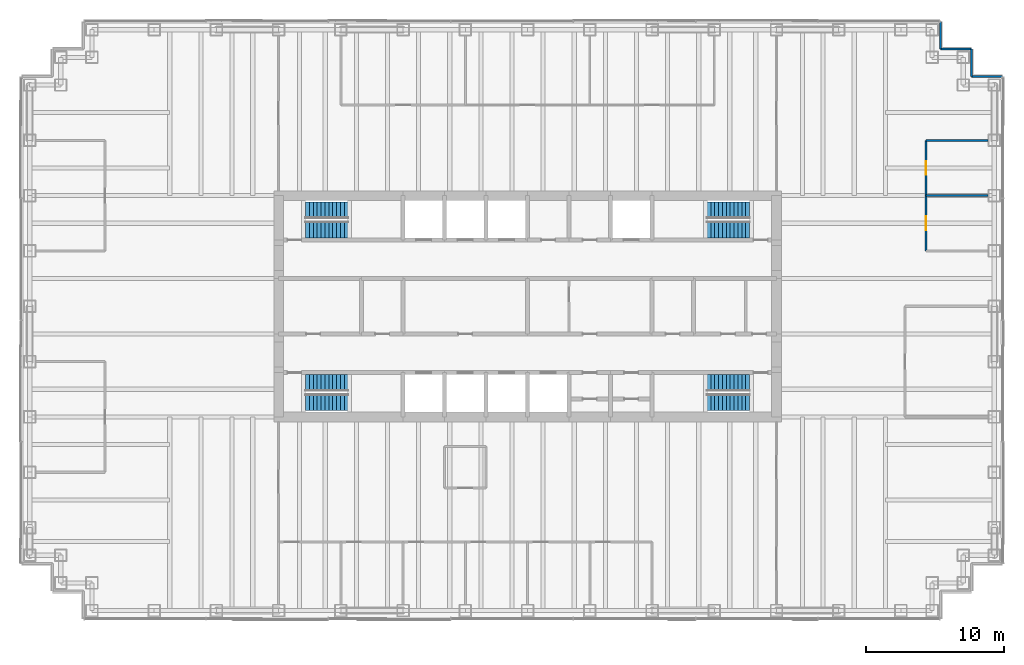
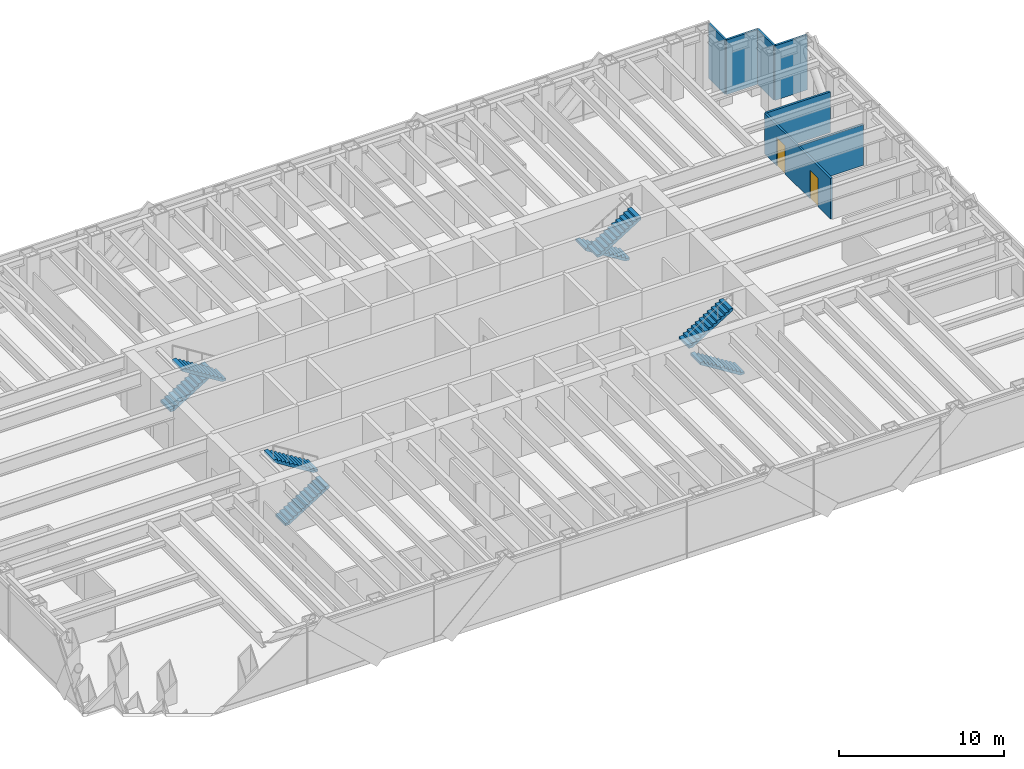
# One storey, part 14 of 15: 8 stair flights, 7 walls, 2 doors, 2 openings, 4 elements without a shape of their own.
"""IFC4 building model written with IfcOpenShell, lengths in metres."""

from ifc_helpers import new_model, si_unit, direction, frame, frame_2d, origin, place, context, subcontext, project, spatial, polyline, rectangle, outline, extrude, material, layer, layer_set, type_object, element, fill, aggregate, save


model = new_model("IFC4")

# Units and contexts
model_context = context("Model", 3, precision=1e-05, world=origin(), true_north=direction((0.0, 1.0)))
body_context = subcontext(model_context, "Body", "Model", "MODEL_VIEW")
ifc_project = project(units=[si_unit("LENGTHUNIT", "METRE"), si_unit("AREAUNIT", "SQUARE_METRE"), si_unit("VOLUMEUNIT", "CUBIC_METRE"), si_unit("PLANEANGLEUNIT", "RADIAN"), si_unit("MASSUNIT", "GRAM", prefix="KILO")], contexts=[model_context])

# Site, building, storey
site_placement = place(None, origin())
site = spatial("IfcSite", under=ifc_project, at=site_placement, CompositionType="ELEMENT")
building_placement = place(site_placement, origin())
building = spatial("IfcBuilding", under=site, at=building_placement, Name="Rheinbord Bourse Tower", CompositionType="ELEMENT")
storey_placement = place(building_placement, frame((0.0, 0.0, 292.10009765625)))
storey = spatial("IfcBuildingStorey", under=building, at=storey_placement, Name="L66", CompositionType="ELEMENT", Elevation=292.10009765625)

# Walls
ifc_material_1 = material(Name="Black metal rainscreen panel", Category="aluminium")
ifc_layer_1 = layer(ifc_material_1, 0.14990234375)
ifc_layer_set_1 = layer_set([ifc_layer_1], Name="CORNER PIER CLADDING 150")
wall_type_1 = type_object("IfcWallType", Name="CORNER PIER CLADDING 150", PredefinedType="ELEMENTEDWALL", material=ifc_layer_set_1)
wall_1_placement = place(storey_placement, frame((70.35009765625, 40.60009765625, 0.0), z_axis=(0.0, 0.0, 1.0), x_axis=(-1.0, 0.0, 0.0)))
element("IfcWall", 1, at=wall_1_placement, inside=storey, type_object=wall_type_1, Name="Corner pier cladding L66 7", PredefinedType="ELEMENTEDWALL", context=body_context, shape_type="SweptSolid", body=[
    extrude(rectangle(XDim=2.25, YDim=0.14990234375, at=frame_2d((1.125, 0.0))), origin(), (0.0, 0.0, 1.0), 4.039794921875),
])
wall_2_placement = place(storey_placement, frame((68.10009765625, 40.60009765625, 0.0), z_axis=(0.0, 0.0, 1.0), x_axis=(0.0, 1.0, 0.0)))
element("IfcWall", 2, at=wall_2_placement, inside=storey, type_object=wall_type_1, Name="Corner pier cladding L66 8", PredefinedType="ELEMENTEDWALL", context=body_context, shape_type="SweptSolid", body=[
    extrude(rectangle(XDim=2.0, YDim=0.14990234375, at=frame_2d((1.0, 0.0))), origin(), (0.0, 0.0, 1.0), 4.039794921875),
])
wall_3_placement = place(storey_placement, frame((68.10009765625, 42.60009765625, 0.0), z_axis=(0.0, 0.0, 1.0), x_axis=(-1.0, 0.0, 0.0)))
element("IfcWall", 3, at=wall_3_placement, inside=storey, type_object=wall_type_1, Name="Corner pier cladding L66 9", PredefinedType="ELEMENTEDWALL", context=body_context, shape_type="SweptSolid", body=[
    extrude(rectangle(XDim=2.25, YDim=0.14990234375, at=frame_2d((1.125, 0.0))), origin(), (0.0, 0.0, 1.0), 4.039794921875),
])
wall_4_placement = place(storey_placement, frame((65.85009765625, 42.60009765625, 0.0), z_axis=(0.0, 0.0, 1.0), x_axis=(0.0, 1.0, 0.0)))
element("IfcWall", 4, at=wall_4_placement, inside=storey, type_object=wall_type_1, Name="Corner pier cladding L66 10", PredefinedType="ELEMENTEDWALL", context=body_context, shape_type="SweptSolid", body=[
    extrude(rectangle(XDim=2.0, YDim=0.14990234375, at=frame_2d((1.0, 0.0))), origin(), (0.0, 0.0, 1.0), 4.039794921875),
])
ifc_material_2 = material(Name="Gypsum board partition", Category="gypsum board")
ifc_layer_2 = layer(ifc_material_2, 0.14990234375)
ifc_layer_set_2 = layer_set([ifc_layer_2], Name="PARTITION 150")
wall_type_2 = type_object("IfcWallType", Name="PARTITION 150", PredefinedType="PARTITIONING", material=ifc_layer_set_2)
for number, where, z_axis, x_axis, name in (
    (5, (64.800048828125, 32.0, 0.0), (0.0, 0.0, 1.0), (1.0, 0.0, 0.0), "Partition L66-10"),
    (6, (64.800048828125, 36.0, 0.0), (0.0, 0.0, 1.0), (1.0, 0.0, 0.0), "Partition L66-12"),
):
    element("IfcWall", number, at=place(storey_placement, frame(where, z_axis=z_axis, x_axis=x_axis)), inside=storey, type_object=wall_type_2, Name=name, PredefinedType="PARTITIONING", context=body_context, shape_type="SweptSolid", body=[
        extrude(rectangle(XDim=4.5, YDim=0.14990234375, at=frame_2d((2.25, 0.0))), origin(), (0.0, 0.0, 1.0), 3.0),
    ])

# Wall, openings, doors
wall_5_placement = place(storey_placement, frame((64.800048828125, 28.0, 0.0), z_axis=(0.0, 0.0, 1.0), x_axis=(0.0, 1.0, 0.0)))
wall_5 = element("IfcWall", 7, at=wall_5_placement, inside=storey, type_object=wall_type_2, Name="Partition L66-35", PredefinedType="PARTITIONING", context=body_context, shape_type="SweptSolid", body=[
    extrude(rectangle(XDim=8.0, YDim=0.14990234375, at=frame_2d((4.0, 0.0))), origin(), (0.0, 0.0, 1.0), 3.0),
])
opening_1_placement = place(wall_5_placement, frame((1.5, 0.0, 0.0)))
opening_1 = element("IfcOpeningElement", 8, at=opening_1_placement, cuts=wall_5, Name="Opening 66D10", PredefinedType="OPENING", context=body_context, shape_type="SweptSolid", body=[
    extrude(rectangle(XDim=1.0, YDim=2.10009765625, at=frame_2d((0.5, 1.050048828125))), frame((0.0, 0.0849609375, 0.0), z_axis=(0.0, -1.0, 0.0), x_axis=(1.0, 0.0, 0.0)), (0.0, 0.0, 1.0), 0.169921875),
])
opening_2_placement = place(wall_5_placement, frame((5.5, 0.0, 0.0)))
opening_2 = element("IfcOpeningElement", 9, at=opening_2_placement, cuts=wall_5, Name="Opening 66D12", PredefinedType="OPENING", context=body_context, shape_type="SweptSolid", body=[
    extrude(rectangle(XDim=1.0, YDim=2.10009765625, at=frame_2d((0.5, 1.050048828125))), frame((0.0, 0.0849609375, 0.0), z_axis=(0.0, -1.0, 0.0), x_axis=(1.0, 0.0, 0.0)), (0.0, 0.0, 1.0), 0.169921875),
])
ifc_material_3 = material(Name="Timber door", Category="wood")
door_type = type_object("IfcDoorType", Name="ROOM DOOR 1000", OperationType="SINGLE_SWING_LEFT", PredefinedType="DOOR", material=ifc_material_3)
door_1_placement = place(opening_1_placement, origin())
door_1 = element("IfcDoor", 10, at=door_1_placement, inside=storey, type_object=door_type, Name="Office door L66", OperationType="SINGLE_SWING_LEFT", OverallHeight=2.10009765625, OverallWidth=1.0, PredefinedType="DOOR", context=body_context, shape_type="SweptSolid", body=[
    extrude(rectangle(XDim=1.0, YDim=2.10009765625, at=frame_2d((0.5, 1.050048828125))), frame((0.0, 0.02490234375, 0.0), z_axis=(0.0, -1.0, 0.0), x_axis=(1.0, 0.0, 0.0)), (0.0, 0.0, 1.0), 0.050048828125),
])
fill(opening_1, door_1)
door_2_placement = place(opening_2_placement, origin())
door_2 = element("IfcDoor", 11, at=door_2_placement, inside=storey, type_object=door_type, Name="Office door L66", OperationType="SINGLE_SWING_RIGHT", OverallHeight=2.10009765625, OverallWidth=1.0, PredefinedType="DOOR", context=body_context, shape_type="SweptSolid", body=[
    extrude(rectangle(XDim=1.0, YDim=2.10009765625, at=frame_2d((0.5, 1.050048828125))), frame((0.0, 0.02490234375, 0.0), z_axis=(0.0, -1.0, 0.0), x_axis=(1.0, 0.0, 0.0)), (0.0, 0.0, 1.0), 0.050048828125),
])
fill(opening_2, door_2)

# Stair, stair flights
ifc_material_4 = material(Name="Concrete C30/37", Category="concrete")
stair_type = type_object("IfcStairType", Name="CORE STAIR HALF TURN 4200", PredefinedType="HALF_TURN_STAIR", material=ifc_material_4)
stair_1_placement = place(storey_placement, origin())
stair_1 = element("IfcStair", 12, at=stair_1_placement, inside=storey, type_object=stair_type, Name="Stair ST1 L66, type CS6", PredefinedType="HALF_TURN_STAIR")
ifc_material_5 = material(Name="Concrete C30/37", Category="concrete")
stair_flight_type = type_object("IfcStairFlightType", Name="CORE STAIR FLIGHT 1200, 12 RISERS", PredefinedType="STRAIGHT", material=ifc_material_5)
stair_flight_1_placement = place(storey_placement, frame((19.949951171875, 17.050048828125, 0.0), z_axis=(0.0, 0.0, 1.0), x_axis=(1.0, 0.0, 0.0)))
stair_flight_1 = element("IfcStairFlight", 13, at=stair_flight_1_placement, type_object=stair_flight_type, Name="STAIR L66 ST1 F1", NumberOfRisers=12, NumberOfTreads=11, PredefinedType="STRAIGHT", RiserHeight=0.175, TreadLength=0.28, context=body_context, shape_type="SweptSolid", body=[
    extrude(outline(polyline([(0.0, 0.0), (0.0, 0.175048828125), (0.280029296875, 0.175048828125), (0.280029296875, 0.35009765625), (0.56005859375, 0.35009765625), (0.56005859375, 0.52490234375), (0.840087890625, 0.52490234375), (0.840087890625, 0.699951171875), (1.1201171875, 0.699951171875), (1.1201171875, 0.875), (1.39990234375, 0.875), (1.39990234375, 1.050048828125), (1.679931640625, 1.050048828125), (1.679931640625, 1.22509765625), (1.9599609375, 1.22509765625), (1.9599609375, 1.39990234375), (2.239990234375, 1.39990234375), (2.239990234375, 1.574951171875), (2.52001953125, 1.574951171875), (2.52001953125, 1.75), (2.800048828125, 1.75), (2.800048828125, 1.925048828125), (3.080078125, 1.925048828125), (3.080078125, 2.10009765625), (3.080078125, 1.748291015625), (0.28271484375, 0.0), (0.0, 0.0)])), frame((0.0, 0.60009765625, 0.0), z_axis=(0.0, -1.0, 0.0), x_axis=(1.0, 0.0, 0.0)), (0.0, 0.0, 1.0), 1.199951171875),
])
stair_flight_2_placement = place(storey_placement, frame((23.030029296875, 18.449951171875, 2.099853515625), z_axis=(0.0, 0.0, 1.0), x_axis=(-1.0, 0.0, 0.0)))
stair_flight_2 = element("IfcStairFlight", 14, at=stair_flight_2_placement, type_object=stair_flight_type, Name="STAIR L66 ST1 F2", NumberOfRisers=12, NumberOfTreads=11, PredefinedType="STRAIGHT", RiserHeight=0.175, TreadLength=0.28, context=body_context, shape_type="SweptSolid", body=[
    extrude(outline(polyline([(0.0, 0.0), (0.0, 0.175048828125), (0.280029296875, 0.175048828125), (0.280029296875, 0.35009765625), (0.56005859375, 0.35009765625), (0.56005859375, 0.52490234375), (0.840087890625, 0.52490234375), (0.840087890625, 0.699951171875), (1.1201171875, 0.699951171875), (1.1201171875, 0.875), (1.39990234375, 0.875), (1.39990234375, 1.050048828125), (1.679931640625, 1.050048828125), (1.679931640625, 1.22509765625), (1.9599609375, 1.22509765625), (1.9599609375, 1.39990234375), (2.239990234375, 1.39990234375), (2.239990234375, 1.574951171875), (2.52001953125, 1.574951171875), (2.52001953125, 1.75), (2.800048828125, 1.75), (2.800048828125, 1.925048828125), (3.080078125, 1.925048828125), (3.080078125, 2.10009765625), (3.080078125, 1.748291015625), (0.28271484375, 0.0), (0.0, 0.0)])), frame((0.0, 0.60009765625, 0.0), z_axis=(0.0, -1.0, 0.0), x_axis=(1.0, 0.0, 0.0)), (0.0, 0.0, 1.0), 1.199951171875),
])
aggregate(stair_1, [stair_flight_1, stair_flight_2])

stair_2_placement = place(storey_placement, origin())
stair_2 = element("IfcStair", 15, at=stair_2_placement, inside=storey, type_object=stair_type, Name="Stair ST2 L66, type CS6", PredefinedType="HALF_TURN_STAIR")
stair_flight_3_placement = place(storey_placement, frame((19.949951171875, 30.949951171875, 0.0), z_axis=(0.0, 0.0, 1.0), x_axis=(1.0, 0.0, 0.0)))
stair_flight_3 = element("IfcStairFlight", 16, at=stair_flight_3_placement, type_object=stair_flight_type, Name="STAIR L66 ST2 F1", NumberOfRisers=12, NumberOfTreads=11, PredefinedType="STRAIGHT", RiserHeight=0.175, TreadLength=0.28, context=body_context, shape_type="SweptSolid", body=[
    extrude(outline(polyline([(0.0, 0.0), (0.0, 0.175048828125), (0.280029296875, 0.175048828125), (0.280029296875, 0.35009765625), (0.56005859375, 0.35009765625), (0.56005859375, 0.52490234375), (0.840087890625, 0.52490234375), (0.840087890625, 0.699951171875), (1.1201171875, 0.699951171875), (1.1201171875, 0.875), (1.39990234375, 0.875), (1.39990234375, 1.050048828125), (1.679931640625, 1.050048828125), (1.679931640625, 1.22509765625), (1.9599609375, 1.22509765625), (1.9599609375, 1.39990234375), (2.239990234375, 1.39990234375), (2.239990234375, 1.574951171875), (2.52001953125, 1.574951171875), (2.52001953125, 1.75), (2.800048828125, 1.75), (2.800048828125, 1.925048828125), (3.080078125, 1.925048828125), (3.080078125, 2.10009765625), (3.080078125, 1.748291015625), (0.28271484375, 0.0), (0.0, 0.0)])), frame((0.0, 0.60009765625, 0.0), z_axis=(0.0, -1.0, 0.0), x_axis=(1.0, 0.0, 0.0)), (0.0, 0.0, 1.0), 1.199951171875),
])
stair_flight_4_placement = place(storey_placement, frame((23.030029296875, 29.550048828125, 2.099853515625), z_axis=(0.0, 0.0, 1.0), x_axis=(-1.0, 0.0, 0.0)))
stair_flight_4 = element("IfcStairFlight", 17, at=stair_flight_4_placement, type_object=stair_flight_type, Name="STAIR L66 ST2 F2", NumberOfRisers=12, NumberOfTreads=11, PredefinedType="STRAIGHT", RiserHeight=0.175, TreadLength=0.28, context=body_context, shape_type="SweptSolid", body=[
    extrude(outline(polyline([(0.0, 0.0), (0.0, 0.175048828125), (0.280029296875, 0.175048828125), (0.280029296875, 0.35009765625), (0.56005859375, 0.35009765625), (0.56005859375, 0.52490234375), (0.840087890625, 0.52490234375), (0.840087890625, 0.699951171875), (1.1201171875, 0.699951171875), (1.1201171875, 0.875), (1.39990234375, 0.875), (1.39990234375, 1.050048828125), (1.679931640625, 1.050048828125), (1.679931640625, 1.22509765625), (1.9599609375, 1.22509765625), (1.9599609375, 1.39990234375), (2.239990234375, 1.39990234375), (2.239990234375, 1.574951171875), (2.52001953125, 1.574951171875), (2.52001953125, 1.75), (2.800048828125, 1.75), (2.800048828125, 1.925048828125), (3.080078125, 1.925048828125), (3.080078125, 2.10009765625), (3.080078125, 1.748291015625), (0.28271484375, 0.0), (0.0, 0.0)])), frame((0.0, 0.60009765625, 0.0), z_axis=(0.0, -1.0, 0.0), x_axis=(1.0, 0.0, 0.0)), (0.0, 0.0, 1.0), 1.199951171875),
])
aggregate(stair_2, [stair_flight_3, stair_flight_4])

stair_3_placement = place(storey_placement, origin())
stair_3 = element("IfcStair", 18, at=stair_3_placement, inside=storey, type_object=stair_type, Name="Stair ST3 L66, type CS6", PredefinedType="HALF_TURN_STAIR")
stair_flight_5_placement = place(storey_placement, frame((52.050048828125, 17.050048828125, 0.0), z_axis=(0.0, 0.0, 1.0), x_axis=(-1.0, 0.0, 0.0)))
stair_flight_5 = element("IfcStairFlight", 19, at=stair_flight_5_placement, type_object=stair_flight_type, Name="STAIR L66 ST3 F1", NumberOfRisers=12, NumberOfTreads=11, PredefinedType="STRAIGHT", RiserHeight=0.175, TreadLength=0.28, context=body_context, shape_type="SweptSolid", body=[
    extrude(outline(polyline([(0.0, 0.0), (0.0, 0.175048828125), (0.280029296875, 0.175048828125), (0.280029296875, 0.35009765625), (0.56005859375, 0.35009765625), (0.56005859375, 0.52490234375), (0.840087890625, 0.52490234375), (0.840087890625, 0.699951171875), (1.1201171875, 0.699951171875), (1.1201171875, 0.875), (1.39990234375, 0.875), (1.39990234375, 1.050048828125), (1.679931640625, 1.050048828125), (1.679931640625, 1.22509765625), (1.9599609375, 1.22509765625), (1.9599609375, 1.39990234375), (2.239990234375, 1.39990234375), (2.239990234375, 1.574951171875), (2.52001953125, 1.574951171875), (2.52001953125, 1.75), (2.800048828125, 1.75), (2.800048828125, 1.925048828125), (3.080078125, 1.925048828125), (3.080078125, 2.10009765625), (3.080078125, 1.748291015625), (0.28271484375, 0.0), (0.0, 0.0)])), frame((0.0, 0.60009765625, 0.0), z_axis=(0.0, -1.0, 0.0), x_axis=(1.0, 0.0, 0.0)), (0.0, 0.0, 1.0), 1.199951171875),
])
stair_flight_6_placement = place(storey_placement, frame((48.969970703125, 18.449951171875, 2.099853515625), z_axis=(0.0, 0.0, 1.0), x_axis=(1.0, 0.0, 0.0)))
stair_flight_6 = element("IfcStairFlight", 20, at=stair_flight_6_placement, type_object=stair_flight_type, Name="STAIR L66 ST3 F2", NumberOfRisers=12, NumberOfTreads=11, PredefinedType="STRAIGHT", RiserHeight=0.175, TreadLength=0.28, context=body_context, shape_type="SweptSolid", body=[
    extrude(outline(polyline([(0.0, 0.0), (0.0, 0.175048828125), (0.280029296875, 0.175048828125), (0.280029296875, 0.35009765625), (0.56005859375, 0.35009765625), (0.56005859375, 0.52490234375), (0.840087890625, 0.52490234375), (0.840087890625, 0.699951171875), (1.1201171875, 0.699951171875), (1.1201171875, 0.875), (1.39990234375, 0.875), (1.39990234375, 1.050048828125), (1.679931640625, 1.050048828125), (1.679931640625, 1.22509765625), (1.9599609375, 1.22509765625), (1.9599609375, 1.39990234375), (2.239990234375, 1.39990234375), (2.239990234375, 1.574951171875), (2.52001953125, 1.574951171875), (2.52001953125, 1.75), (2.800048828125, 1.75), (2.800048828125, 1.925048828125), (3.080078125, 1.925048828125), (3.080078125, 2.10009765625), (3.080078125, 1.748291015625), (0.28271484375, 0.0), (0.0, 0.0)])), frame((0.0, 0.60009765625, 0.0), z_axis=(0.0, -1.0, 0.0), x_axis=(1.0, 0.0, 0.0)), (0.0, 0.0, 1.0), 1.199951171875),
])
aggregate(stair_3, [stair_flight_5, stair_flight_6])

stair_4_placement = place(storey_placement, origin())
stair_4 = element("IfcStair", 21, at=stair_4_placement, inside=storey, type_object=stair_type, Name="Stair ST4 L66, type CS6", PredefinedType="HALF_TURN_STAIR")
stair_flight_7_placement = place(storey_placement, frame((52.050048828125, 30.949951171875, 0.0), z_axis=(0.0, 0.0, 1.0), x_axis=(-1.0, 0.0, 0.0)))
stair_flight_7 = element("IfcStairFlight", 22, at=stair_flight_7_placement, type_object=stair_flight_type, Name="STAIR L66 ST4 F1", NumberOfRisers=12, NumberOfTreads=11, PredefinedType="STRAIGHT", RiserHeight=0.175, TreadLength=0.28, context=body_context, shape_type="SweptSolid", body=[
    extrude(outline(polyline([(0.0, 0.0), (0.0, 0.175048828125), (0.280029296875, 0.175048828125), (0.280029296875, 0.35009765625), (0.56005859375, 0.35009765625), (0.56005859375, 0.52490234375), (0.840087890625, 0.52490234375), (0.840087890625, 0.699951171875), (1.1201171875, 0.699951171875), (1.1201171875, 0.875), (1.39990234375, 0.875), (1.39990234375, 1.050048828125), (1.679931640625, 1.050048828125), (1.679931640625, 1.22509765625), (1.9599609375, 1.22509765625), (1.9599609375, 1.39990234375), (2.239990234375, 1.39990234375), (2.239990234375, 1.574951171875), (2.52001953125, 1.574951171875), (2.52001953125, 1.75), (2.800048828125, 1.75), (2.800048828125, 1.925048828125), (3.080078125, 1.925048828125), (3.080078125, 2.10009765625), (3.080078125, 1.748291015625), (0.28271484375, 0.0), (0.0, 0.0)])), frame((0.0, 0.60009765625, 0.0), z_axis=(0.0, -1.0, 0.0), x_axis=(1.0, 0.0, 0.0)), (0.0, 0.0, 1.0), 1.199951171875),
])
stair_flight_8_placement = place(storey_placement, frame((48.969970703125, 29.550048828125, 2.099853515625), z_axis=(0.0, 0.0, 1.0), x_axis=(1.0, 0.0, 0.0)))
stair_flight_8 = element("IfcStairFlight", 23, at=stair_flight_8_placement, type_object=stair_flight_type, Name="STAIR L66 ST4 F2", NumberOfRisers=12, NumberOfTreads=11, PredefinedType="STRAIGHT", RiserHeight=0.175, TreadLength=0.28, context=body_context, shape_type="SweptSolid", body=[
    extrude(outline(polyline([(0.0, 0.0), (0.0, 0.175048828125), (0.280029296875, 0.175048828125), (0.280029296875, 0.35009765625), (0.56005859375, 0.35009765625), (0.56005859375, 0.52490234375), (0.840087890625, 0.52490234375), (0.840087890625, 0.699951171875), (1.1201171875, 0.699951171875), (1.1201171875, 0.875), (1.39990234375, 0.875), (1.39990234375, 1.050048828125), (1.679931640625, 1.050048828125), (1.679931640625, 1.22509765625), (1.9599609375, 1.22509765625), (1.9599609375, 1.39990234375), (2.239990234375, 1.39990234375), (2.239990234375, 1.574951171875), (2.52001953125, 1.574951171875), (2.52001953125, 1.75), (2.800048828125, 1.75), (2.800048828125, 1.925048828125), (3.080078125, 1.925048828125), (3.080078125, 2.10009765625), (3.080078125, 1.748291015625), (0.28271484375, 0.0), (0.0, 0.0)])), frame((0.0, 0.60009765625, 0.0), z_axis=(0.0, -1.0, 0.0), x_axis=(1.0, 0.0, 0.0)), (0.0, 0.0, 1.0), 1.199951171875),
])
aggregate(stair_4, [stair_flight_7, stair_flight_8])

save(model, "model.ifc")
